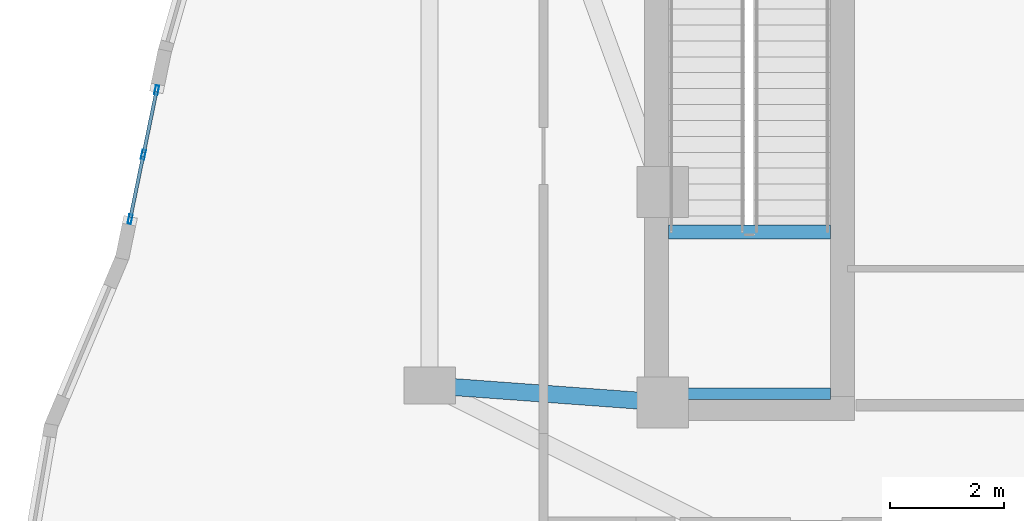
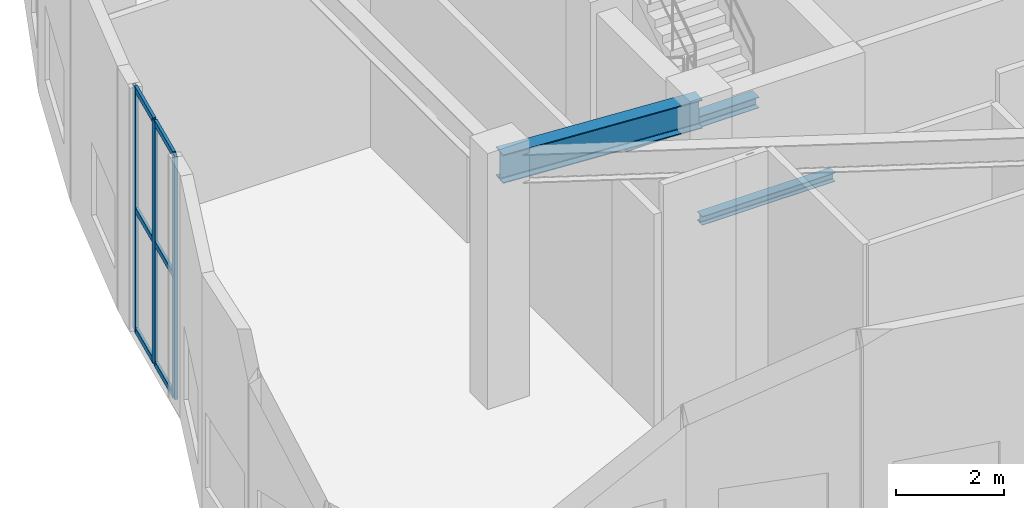
# One storey, part 4 of 16: 9 members, 3 beams, 1 element without a shape of its own.
"""IFC4 building model written with IfcOpenShell, lengths in metres."""

import ifcopenshell
import ifcopenshell.guid

model = None  # the IFC model being written
_history = None  # IfcOwnerHistory: only IFC2X3 demands one
_inside = {}  # id of a spatial element -> (the spatial element, [elements in it])
_under = {}  # id of a project, library or spatial element -> (it, [spatial elements below it])
_declared = {}  # id of a project -> (the project, [libraries it declares])
_typed = {}  # id of a type object -> (the type object, [elements of that type])
_made_of = {}  # id of a material, layer set ... -> (it, [elements and type objects made of it])


def new_model(schema):
    """Start an empty IFC model of exactly this schema.

    Asked for "IFC4X3", IfcOpenShell would pick the latest addendum, in which some entities
    have other attributes; the version numbers below select the first issue.
    IFC2X3 requires an IfcOwnerHistory on every rooted entity: one is made here for all.
    """
    global model, _history
    if schema == "IFC4X3":
        model = ifcopenshell.file(schema_version=(4, 3, 0, 0))
    else:
        model = ifcopenshell.file(schema=schema)
    _inside.clear()
    _under.clear()
    _declared.clear()
    _typed.clear()
    _made_of.clear()
    _history = None
    if model.schema == "IFC2X3":
        org = make("IfcOrganization", Name="unknown")
        user = make(
            "IfcPersonAndOrganization",
            ThePerson=make("IfcPerson", FamilyName="unknown"),
            TheOrganization=org,
        )
        app = make(
            "IfcApplication",
            ApplicationDeveloper=org,
            Version="unknown",
            ApplicationFullName="unknown",
            ApplicationIdentifier="unknown",
        )
        _history = make(
            "IfcOwnerHistory",
            OwningUser=user,
            OwningApplication=app,
            ChangeAction="ADDED",
            CreationDate=0,
        )
    return model


def make(cls, **values):
    """One entity of the class cls with the attributes given. An attribute that is None is left unset."""
    return model.create_entity(
        cls, **{name: value for name, value in values.items() if value is not None}
    )


def rooted(cls, **values):
    """An entity with a GlobalId (a new one), such as an element, a storey or a relation."""
    return make(cls, GlobalId=ifcopenshell.guid.new(), OwnerHistory=_history, **values)


def si_unit(unit_type, name, prefix=None):
    """IfcSIUnit, for example si_unit("LENGTHUNIT", "METRE", prefix="MILLI")."""
    return make("IfcSIUnit", UnitType=unit_type, Prefix=prefix, Name=name)


def assignment(units):
    """IfcUnitAssignment: the units of a project."""
    return None if units is None else make("IfcUnitAssignment", Units=units)


def point(xyz):
    """IfcCartesianPoint."""
    return None if xyz is None else make("IfcCartesianPoint", Coordinates=xyz)


def direction(xyz):
    """IfcDirection."""
    return None if xyz is None else make("IfcDirection", DirectionRatios=xyz)


def frame(location, z_axis=None, x_axis=None):
    """IfcAxis2Placement3D, a coordinate frame: its origin and axes. An axis left out is left unset."""
    return make(
        "IfcAxis2Placement3D",
        Location=point(location),
        Axis=direction(z_axis),
        RefDirection=direction(x_axis),
    )


def frame_2d(location, x_axis=None):
    """IfcAxis2Placement2D, a coordinate frame in the plane: its origin and x axis."""
    return make(
        "IfcAxis2Placement2D", Location=point(location), RefDirection=direction(x_axis)
    )


def origin():
    """The frame at (0, 0, 0) with its axes left unset."""
    return frame((0.0, 0.0, 0.0))


def origin_2d():
    """The frame at (0, 0) in the plane with its x axis left unset."""
    return frame_2d((0.0, 0.0))


def place(relative_to, where):
    """IfcLocalPlacement: puts the frame where relative to a parent placement (None: the world)."""
    return make(
        "IfcLocalPlacement", PlacementRelTo=relative_to, RelativePlacement=where
    )


def context(
    kind, dimensions, precision=None, world=None, true_north=None, identifier=None
):
    """IfcGeometricRepresentationContext, for example the 3D "Model" context."""
    return make(
        "IfcGeometricRepresentationContext",
        ContextIdentifier=identifier,
        ContextType=kind,
        CoordinateSpaceDimension=dimensions,
        Precision=precision,
        WorldCoordinateSystem=world,
        TrueNorth=true_north,
    )


def subcontext(parent, identifier, kind, view, scale=None):
    """IfcGeometricRepresentationSubContext, for example "Body" below "Model"."""
    return make(
        "IfcGeometricRepresentationSubContext",
        ContextIdentifier=identifier,
        ContextType=kind,
        ParentContext=parent,
        TargetScale=scale,
        TargetView=view,
    )


def project(units=None, contexts=None):
    """IfcProject with its units and contexts."""
    return rooted(
        "IfcProject",
        Name="project",
        RepresentationContexts=contexts,
        UnitsInContext=assignment(units),
    )


def spatial(cls, under=None, at=None, **own):
    """A site, building, storey or space (cls), placed at a placement, below another one or the project."""
    s = rooted(cls, ObjectPlacement=at, **own)
    if under is not None:
        _under.setdefault(under.id(), (under, []))[1].append(s)
    return s


def profile(cls, at=None, kind="AREA", **sizes):
    """A parametric profile (cls). Its sizes go by their IFC names, for example OverallWidth=200.0."""
    return make(cls, ProfileType=kind, Position=at, **sizes)


def hollow_rectangle(**sizes):
    """IfcRectangleHollowProfileDef."""
    return profile("IfcRectangleHollowProfileDef", **sizes)


def i_section(**sizes):
    """IfcIShapeProfileDef."""
    return profile("IfcIShapeProfileDef", **sizes)


def extrude(swept, where, along, depth):
    """IfcExtrudedAreaSolid: the profile swept, set in the frame where, extruded along a direction by depth."""
    return make(
        "IfcExtrudedAreaSolid",
        SweptArea=swept,
        Position=where,
        ExtrudedDirection=direction(along),
        Depth=depth,
    )


def shape(context_of_items, identifier, shape_type, items):
    """IfcShapeRepresentation: the items that make up one representation, for example the "Body"."""
    return make(
        "IfcShapeRepresentation",
        ContextOfItems=context_of_items,
        RepresentationIdentifier=identifier,
        RepresentationType=shape_type,
        Items=items,
    )


def material(Name=None, Category=None):
    """IfcMaterial."""
    return make("IfcMaterial", Name=Name, Category=Category)


def layer(
    of_material, thickness, ventilated=None, Name=None, Category=None, Priority=None
):
    """IfcMaterialLayer: one layer of a wall or slab, of a material (None: an air gap)."""
    return make(
        "IfcMaterialLayer",
        Material=of_material,
        LayerThickness=thickness,
        IsVentilated=ventilated,
        Name=Name,
        Category=Category,
        Priority=Priority,
    )


def layer_set(layers, Name=None):
    """IfcMaterialLayerSet."""
    return make("IfcMaterialLayerSet", MaterialLayers=layers, LayerSetName=Name)


def material_profile(
    of_material, cross_section, Name=None, Category=None, Priority=None
):
    """IfcMaterialProfile: a cross section and its material."""
    return make(
        "IfcMaterialProfile",
        Name=Name,
        Material=of_material,
        Profile=cross_section,
        Priority=Priority,
        Category=Category,
    )


def profile_set(profiles, Name=None, composite=None):
    """IfcMaterialProfileSet."""
    return make(
        "IfcMaterialProfileSet",
        Name=Name,
        MaterialProfiles=profiles,
        CompositeProfile=composite,
    )


def made_of(thing, what):
    """Note that an element or type object is made of a material, layer set ...; save() writes the relation."""
    if what is not None:
        _made_of.setdefault(what.id(), (what, []))[1].append(thing)
    return thing


def type_object(cls, material=None, **own):
    """A type object (cls), such as IfcWallType, which elements share."""
    return made_of(rooted(cls, **own), material)


def element(
    cls,
    number,
    at=None,
    inside=None,
    cuts=None,
    type_object=None,
    material=None,
    context=None,
    identifier="Body",
    shape_type=None,
    held_by="IfcProductDefinitionShape",
    body=None,
    shapes=None,
    **own,
):
    """One element of the class cls, such as IfcWall. Its Tag is "e" and its number.

    at: its placement. inside: the storey or other place that contains it. cuts: it is an
    opening in that element (IfcRelVoidsElement). A single representation is given by context,
    identifier, shape_type and body (its items); several are given by shapes. held_by: the class
    of the entity that holds the representations. save() writes the other relations.
    """
    e = rooted(cls, Tag="e%d" % number, ObjectPlacement=at, **own)
    if body is not None:
        shapes = [shape(context, identifier, shape_type, body)]
    if shapes is not None:
        e.Representation = make(held_by, Representations=shapes)
    if inside is not None:
        _inside.setdefault(inside.id(), (inside, []))[1].append(e)
    if cuts is not None:
        rooted(
            "IfcRelVoidsElement", RelatingBuildingElement=cuts, RelatedOpeningElement=e
        )
    if type_object is not None:
        _typed.setdefault(type_object.id(), (type_object, []))[1].append(e)
    return made_of(e, material)


def aggregate(whole, parts):
    """IfcRelAggregates: a whole, such as a stair, and the parts it consists of."""
    return rooted("IfcRelAggregates", RelatingObject=whole, RelatedObjects=parts)


def save(model, path):
    """Write the relations noted so far, then the file.

    IfcRelAggregates (storeys below a building ...), IfcRelContainedInSpatialStructure (elements
    in a storey), IfcRelDefinesByType, IfcRelAssociatesMaterial and IfcRelDeclares: one each for
    every whole, place, type object, material and project.
    """
    for whole, parts in _under.values():
        aggregate(whole, parts)
    for where, things in _inside.values():
        rooted(
            "IfcRelContainedInSpatialStructure",
            RelatedElements=things,
            RelatingStructure=where,
        )
    for kind, things in _typed.values():
        rooted("IfcRelDefinesByType", RelatedObjects=things, RelatingType=kind)
    for what, things in _made_of.values():
        rooted("IfcRelAssociatesMaterial", RelatedObjects=things, RelatingMaterial=what)
    for by, libraries in _declared.values():
        rooted("IfcRelDeclares", RelatingContext=by, RelatedDefinitions=libraries)
    model.write(path)


model = new_model("IFC4")

# Units and contexts
model_context = context("Model", 3, precision=1e-05, world=origin(), true_north=direction((0.0, 1.0)))
body_context = subcontext(model_context, "Body", "Model", "MODEL_VIEW")
ifc_project = project(units=[si_unit("LENGTHUNIT", "METRE"), si_unit("AREAUNIT", "SQUARE_METRE"), si_unit("VOLUMEUNIT", "CUBIC_METRE"), si_unit("PLANEANGLEUNIT", "RADIAN"), si_unit("MASSUNIT", "GRAM", prefix="KILO")], contexts=[model_context])

# Site, building, storey
site_placement = place(None, origin())
site = spatial("IfcSite", under=ifc_project, at=site_placement, CompositionType="ELEMENT")
building_placement = place(site_placement, origin())
building = spatial("IfcBuilding", under=site, at=building_placement, Name="Miruveldt Soraemaru", CompositionType="ELEMENT")
storey_placement = place(building_placement, frame((0.0, 0.0, 289.60009765625)))
storey = spatial("IfcBuildingStorey", under=building, at=storey_placement, Name="L78", CompositionType="ELEMENT", Elevation=289.60009765625)

# Beams
ifc_material_1 = material(Name="Steel SM355 (355 MPa)", Category="steel")
ifc_material_profile_1 = material_profile(ifc_material_1, i_section(OverallWidth=0.300048828125, OverallDepth=0.64990234375, WebThickness=0.012939453125, FlangeThickness=0.02197265625, FilletRadius=0.02587890625, at=origin_2d()), Name="Steel SM355 (355 MPa)", Category="steel")
ifc_profile_set_1 = profile_set([ifc_material_profile_1], Name="Steel SM355 (355 MPa)")
beam_type_1 = type_object("IfcBeamType", Name="BM-ST-H650", PredefinedType="BEAM", material=ifc_profile_set_1)
beam_1_placement = place(storey_placement, frame((35.5, 35.5, 5.184814453125), z_axis=(-0.997332985605, 0.072985723431, 0.0), x_axis=(-0.072985723431, -0.997332985605, 0.0)))
element("IfcBeam", 1, at=beam_1_placement, inside=storey, type_object=beam_type_1, Name="L78 Core-to-Inner Radial Girder 5", PredefinedType="BEAM", context=body_context, shape_type="SweptSolid", body=[
    extrude(i_section(OverallWidth=0.300048828125, OverallDepth=0.64990234375, WebThickness=0.012939453125, FlangeThickness=0.02197265625, FilletRadius=0.02587890625, at=origin_2d()), origin(), (0.0, 0.0, 1.0), 4.111083984375),
])
ifc_material_profile_2 = material_profile(ifc_material_1, i_section(OverallWidth=0.199951171875, OverallDepth=0.199951171875, WebThickness=0.008056640625, FlangeThickness=0.011962890625, FilletRadius=0.012939453125, at=origin_2d()), Name="Steel SM355 (355 MPa)", Category="steel")
ifc_profile_set_2 = profile_set([ifc_material_profile_2], Name="Steel SM355 (355 MPa)")
beam_type_2 = type_object("IfcBeamType", Name="BM-ST-LND200", PredefinedType="BEAM", material=ifc_profile_set_2)
beam_2_placement = place(storey_placement, frame((35.60009765625, 35.64990234375, 2.599853515625), z_axis=(1.0, 0.0, 0.0), x_axis=(0.0, 1.0, 0.0)))
element("IfcBeam", 2, at=beam_2_placement, inside=storey, type_object=beam_type_2, Name="L78 ST1 Landing End Beam 1B", PredefinedType="BEAM", context=body_context, shape_type="SweptSolid", body=[
    extrude(i_section(OverallWidth=0.199951171875, OverallDepth=0.199951171875, WebThickness=0.008056640625, FlangeThickness=0.011962890625, FilletRadius=0.012939453125, at=origin_2d()), origin(), (0.0, 0.0, 1.0), 2.849853515625),
])
ifc_material_profile_3 = material_profile(ifc_material_1, i_section(OverallWidth=0.25, OverallDepth=0.25, WebThickness=0.009033203125, FlangeThickness=0.013916015625, FilletRadius=0.01611328125, at=origin_2d()), Name="Steel SM355 (355 MPa)", Category="steel")
ifc_profile_set_3 = profile_set([ifc_material_profile_3], Name="Steel SM355 (355 MPa)")
beam_type_3 = type_object("IfcBeamType", Name="BM-ST-LND250", PredefinedType="BEAM", material=ifc_profile_set_3)
beam_3_placement = place(storey_placement, frame((35.60009765625, 38.5, 2.574951171875), z_axis=(1.0, 0.0, 0.0), x_axis=(0.0, 1.0, 0.0)))
element("IfcBeam", 3, at=beam_3_placement, inside=storey, type_object=beam_type_3, Name="L78 ST1 Landing Support Beam 1A", PredefinedType="BEAM", context=body_context, shape_type="SweptSolid", body=[
    extrude(i_section(OverallWidth=0.25, OverallDepth=0.25, WebThickness=0.009033203125, FlangeThickness=0.013916015625, FilletRadius=0.01611328125, at=origin_2d()), origin(), (0.0, 0.0, 1.0), 2.849853515625),
])

# Curtain wall, members
ifc_material_2 = material(Name="Anodised aluminium EN AW-6063 T6", Category="aluminium")
ifc_layer = layer(ifc_material_2, 0.1650390625, Name="Anodised aluminium EN AW-6063 T6", Category="aluminium")
ifc_layer_set = layer_set([ifc_layer], Name="Anodised aluminium EN AW-6063 T6")
curtain_wall_type = type_object("IfcCurtainWallType", Name="CW-SYS-5", PredefinedType="USERDEFINED", material=ifc_layer_set)
curtain_wall_placement = place(storey_placement, origin())
curtain_wall = element("IfcCurtainWall", 4, at=curtain_wall_placement, inside=storey, type_object=curtain_wall_type, Name="L78 Curtain Wall Bay 14", ObjectType="UNITISED GLAZING", PredefinedType="USERDEFINED")
ifc_material_profile_4 = material_profile(ifc_material_2, hollow_rectangle(XDim=0.06005859375, YDim=0.1650390625, WallThickness=0.00390625, at=origin_2d()), Name="Anodised aluminium EN AW-6063 T6", Category="aluminium")
ifc_profile_set_4 = profile_set([ifc_material_profile_4], Name="Anodised aluminium EN AW-6063 T6")
member_type_1 = type_object("IfcMemberType", Name="CWM-5", PredefinedType="MULLION", material=ifc_profile_set_4)
member_1_placement = place(storey_placement, frame((26.5966796875, 40.99462890625, 0.0), z_axis=(0.0, 0.0, 1.0), x_axis=(0.979468283615, -0.201598316939, 0.0)))
member_1 = element("IfcMember", 5, at=member_1_placement, type_object=member_type_1, Name="CW-5 mullion 1", PredefinedType="MULLION", context=body_context, shape_type="SweptSolid", body=[
    extrude(hollow_rectangle(XDim=0.06005859375, YDim=0.1650390625, WallThickness=0.00390625, at=origin_2d()), origin(), (0.0, 0.0, 1.0), 5.510009765625),
])
member_2_placement = place(storey_placement, frame((26.363037109375, 39.860107421875, 0.0), z_axis=(0.0, 0.0, 1.0), x_axis=(0.979468283615, -0.201598316939, 0.0)))
member_2 = element("IfcMember", 6, at=member_2_placement, type_object=member_type_1, Name="CW-5 mullion 2", PredefinedType="MULLION", context=body_context, shape_type="SweptSolid", body=[
    extrude(hollow_rectangle(XDim=0.06005859375, YDim=0.1650390625, WallThickness=0.00390625, at=origin_2d()), origin(), (0.0, 0.0, 1.0), 5.510009765625),
])
member_3_placement = place(storey_placement, frame((26.129638671875, 38.725341796875, 0.0), z_axis=(0.0, 0.0, 1.0), x_axis=(0.979468283615, -0.201598316939, 0.0)))
member_3 = element("IfcMember", 7, at=member_3_placement, type_object=member_type_1, Name="CW-5 mullion 3", PredefinedType="MULLION", context=body_context, shape_type="SweptSolid", body=[
    extrude(hollow_rectangle(XDim=0.06005859375, YDim=0.1650390625, WallThickness=0.00390625, at=origin_2d()), origin(), (0.0, 0.0, 1.0), 5.510009765625),
])
ifc_material_profile_5 = material_profile(ifc_material_2, hollow_rectangle(XDim=0.06005859375, YDim=0.1298828125, WallThickness=0.00390625, at=origin_2d()), Name="Anodised aluminium EN AW-6063 T6", Category="aluminium")
ifc_profile_set_5 = profile_set([ifc_material_profile_5], Name="Anodised aluminium EN AW-6063 T6")
member_type_2 = type_object("IfcMemberType", Name="CWT-5", PredefinedType="USERDEFINED", material=ifc_profile_set_5)
member_4_placement = place(storey_placement, frame((26.590576171875, 40.96533203125, 0.02978515625), z_axis=(-0.201583938581, -0.979471242919, 0.0), x_axis=(0.979471242919, -0.201583938581, 0.0)))
member_4 = element("IfcMember", 8, at=member_4_placement, type_object=member_type_2, Name="CW-5 transom 1.1", ObjectType="TRANSOM", PredefinedType="USERDEFINED", context=body_context, shape_type="SweptSolid", body=[
    extrude(hollow_rectangle(XDim=0.06005859375, YDim=0.1298828125, WallThickness=0.00390625, at=origin_2d()), origin(), (0.0, 0.0, 1.0), 1.098388671875),
])
member_5_placement = place(storey_placement, frame((26.590576171875, 40.96533203125, 2.7548828125), z_axis=(-0.201583938581, -0.979471242919, 0.0), x_axis=(0.979471242919, -0.201583938581, 0.0)))
member_5 = element("IfcMember", 9, at=member_5_placement, type_object=member_type_2, Name="CW-5 transom 1.2", ObjectType="TRANSOM", PredefinedType="USERDEFINED", context=body_context, shape_type="SweptSolid", body=[
    extrude(hollow_rectangle(XDim=0.06005859375, YDim=0.1298828125, WallThickness=0.00390625, at=origin_2d()), origin(), (0.0, 0.0, 1.0), 1.098388671875),
])
member_6_placement = place(storey_placement, frame((26.590576171875, 40.96533203125, 5.47998046875), z_axis=(-0.201583938581, -0.979471242919, 0.0), x_axis=(0.979471242919, -0.201583938581, 0.0)))
member_6 = element("IfcMember", 10, at=member_6_placement, type_object=member_type_2, Name="CW-5 transom 1.3", ObjectType="TRANSOM", PredefinedType="USERDEFINED", context=body_context, shape_type="SweptSolid", body=[
    extrude(hollow_rectangle(XDim=0.06005859375, YDim=0.1298828125, WallThickness=0.00390625, at=origin_2d()), origin(), (0.0, 0.0, 1.0), 1.098388671875),
])
member_7_placement = place(storey_placement, frame((26.35693359375, 39.83056640625, 0.02978515625), z_axis=(-0.201583938581, -0.979471242919, 0.0), x_axis=(0.979471242919, -0.201583938581, 0.0)))
member_7 = element("IfcMember", 11, at=member_7_placement, type_object=member_type_2, Name="CW-5 transom 2.1", ObjectType="TRANSOM", PredefinedType="USERDEFINED", context=body_context, shape_type="SweptSolid", body=[
    extrude(hollow_rectangle(XDim=0.06005859375, YDim=0.1298828125, WallThickness=0.00390625, at=origin_2d()), origin(), (0.0, 0.0, 1.0), 1.098388671875),
])
member_8_placement = place(storey_placement, frame((26.35693359375, 39.83056640625, 2.7548828125), z_axis=(-0.201583938581, -0.979471242919, 0.0), x_axis=(0.979471242919, -0.201583938581, 0.0)))
member_8 = element("IfcMember", 12, at=member_8_placement, type_object=member_type_2, Name="CW-5 transom 2.2", ObjectType="TRANSOM", PredefinedType="USERDEFINED", context=body_context, shape_type="SweptSolid", body=[
    extrude(hollow_rectangle(XDim=0.06005859375, YDim=0.1298828125, WallThickness=0.00390625, at=origin_2d()), origin(), (0.0, 0.0, 1.0), 1.098388671875),
])
member_9_placement = place(storey_placement, frame((26.35693359375, 39.83056640625, 5.47998046875), z_axis=(-0.201583938581, -0.979471242919, 0.0), x_axis=(0.979471242919, -0.201583938581, 0.0)))
member_9 = element("IfcMember", 13, at=member_9_placement, type_object=member_type_2, Name="CW-5 transom 2.3", ObjectType="TRANSOM", PredefinedType="USERDEFINED", context=body_context, shape_type="SweptSolid", body=[
    extrude(hollow_rectangle(XDim=0.06005859375, YDim=0.1298828125, WallThickness=0.00390625, at=origin_2d()), origin(), (0.0, 0.0, 1.0), 1.098388671875),
])
aggregate(curtain_wall, [member_1, member_2, member_3, member_4, member_5, member_6, member_7, member_8, member_9])

save(model, "model.ifc")
